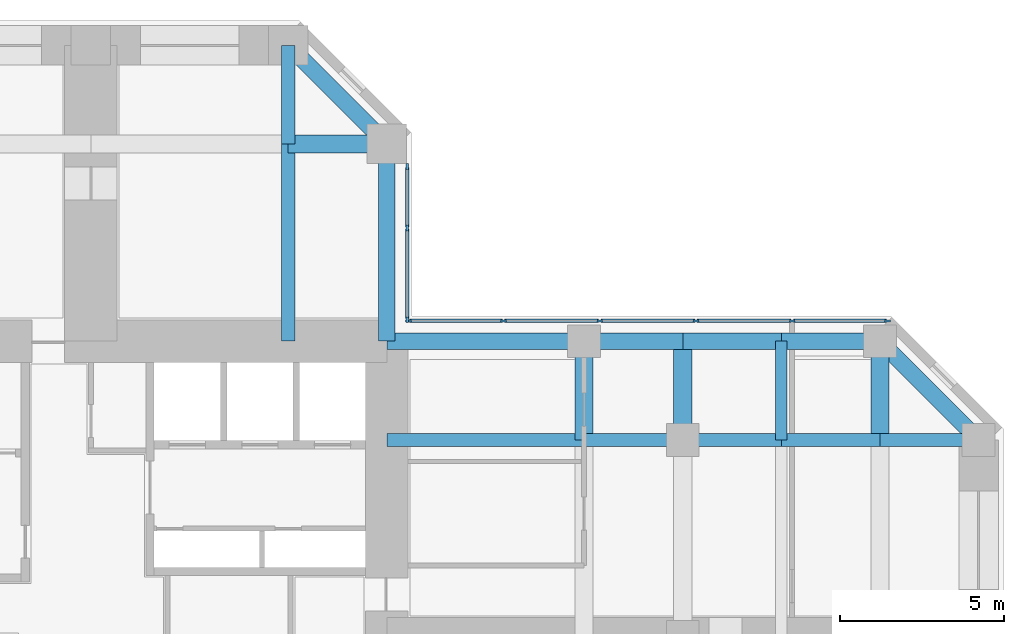
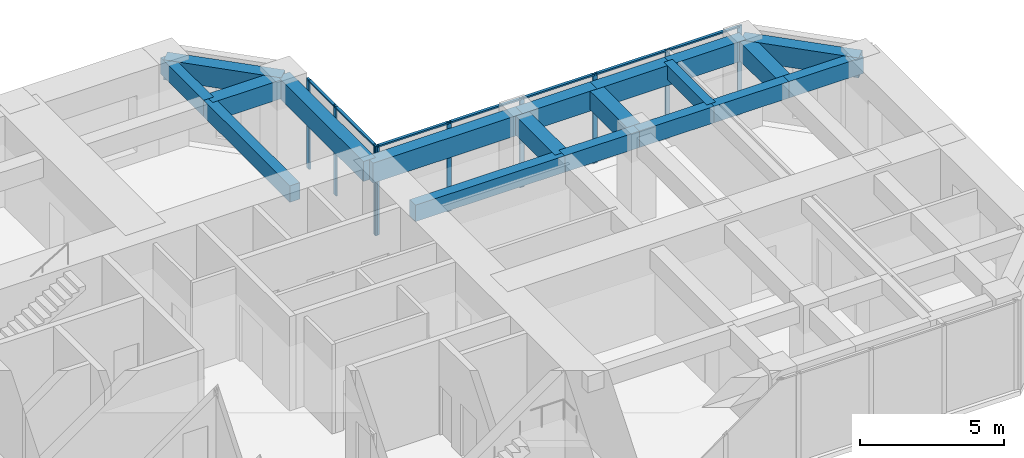
# One storey, part 6 of 12: 19 beams, 16 members, 2 elements without a shape of their own.
"""IFC4 building model written with IfcOpenShell, lengths in metres."""

from ifc_helpers import new_model, si_unit, direction, frame, origin, origin_2d, place, context, subcontext, project, spatial, rectangle, extrude, material, material_profile, profile_set, type_object, element, aggregate, save


model = new_model("IFC4")

# Units and contexts
model_context = context("Model", 3, precision=1e-05, world=origin(), true_north=direction((0.0, 1.0)))
body_context = subcontext(model_context, "Body", "Model", "MODEL_VIEW")
ifc_project = project(units=[si_unit("LENGTHUNIT", "METRE"), si_unit("AREAUNIT", "SQUARE_METRE"), si_unit("VOLUMEUNIT", "CUBIC_METRE"), si_unit("PLANEANGLEUNIT", "RADIAN"), si_unit("MASSUNIT", "GRAM", prefix="KILO")], contexts=[model_context])

# Site, building, storey
site_placement = place(None, origin())
site = spatial("IfcSite", under=ifc_project, at=site_placement, CompositionType="ELEMENT")
building_placement = place(site_placement, origin())
building = spatial("IfcBuilding", under=site, at=building_placement, Name="Torre Cruceta", CompositionType="ELEMENT")
storey_placement = place(building_placement, frame((0.0, 0.0, 104.5)))
storey = spatial("IfcBuildingStorey", under=building, at=storey_placement, Name="L25", CompositionType="ELEMENT", Elevation=104.5)

# Beams
ifc_material_1 = material(Name="Concrete G60 (fck 60 MPa)", Category="concrete")
ifc_material_profile_1 = material_profile(ifc_material_1, rectangle(XDim=0.39990234375, YDim=0.699951171875, at=origin_2d()), Name="RC 400X700")
ifc_profile_set_1 = profile_set([ifc_material_profile_1], Name="Concrete G60 (fck 60 MPa)")
beam_type_1 = type_object("IfcBeamType", Name="COLUMN LINE BEAM RC 400X700", PredefinedType="BEAM", material=ifc_profile_set_1)
beam_1_placement = place(storey_placement, frame((6.0, 9.0, 3.449951171875), z_axis=(0.0, 1.0, 0.0), x_axis=(-1.0, 0.0, 0.0)))
element("IfcBeam", 1, at=beam_1_placement, inside=storey, type_object=beam_type_1, Name="LB5 L25 N col- 1", PredefinedType="BEAM", context=body_context, shape_type="SweptSolid", body=[
    extrude(rectangle(XDim=0.39990234375, YDim=0.699951171875, at=origin_2d()), origin(), (0.0, 0.0, 1.0), 6.0),
])
beam_2_placement = place(storey_placement, frame((6.0, 15.0, 3.449951171875), z_axis=(0.0, 1.0, 0.0), x_axis=(-1.0, 0.0, 0.0)))
element("IfcBeam", 2, at=beam_2_placement, inside=storey, type_object=beam_type_1, Name="LB5 L25 N col- 2", PredefinedType="BEAM", context=body_context, shape_type="SweptSolid", body=[
    extrude(rectangle(XDim=0.39990234375, YDim=0.699951171875, at=origin_2d()), origin(), (0.0, 0.0, 1.0), 3.0),
])
beam_3_placement = place(storey_placement, frame((9.0, 6.0, 3.449951171875), z_axis=(1.0, 0.0, 0.0), x_axis=(0.0, 1.0, 0.0)))
element("IfcBeam", 3, at=beam_3_placement, inside=storey, type_object=beam_type_1, Name="LB5 L25 E col+ 1", PredefinedType="BEAM", context=body_context, shape_type="SweptSolid", body=[
    extrude(rectangle(XDim=0.39990234375, YDim=0.699951171875, at=origin_2d()), origin(), (0.0, 0.0, 1.0), 6.0),
])
for number, where, z_axis, x_axis, name in (
    (4, (15.0, 6.0, 3.449951171875), (1.0, 0.0, 0.0), (0.0, 1.0, 0.0), "LB5 L25 E col+ 2"),
    (5, (18.0, 6.0, 3.449951171875), (1.0, 0.0, 0.0), (0.0, 1.0, 0.0), "LB5 L25 E col+ 3"),
    (6, (21.0, 6.0, 3.449951171875), (1.0, 0.0, 0.0), (0.0, 1.0, 0.0), "LB5 L25 E col+ 4"),
    (7, (24.0, 6.0, 3.449951171875), (1.0, 0.0, 0.0), (0.0, 1.0, 0.0), "LB5 L25 E col+ 5"),
):
    element("IfcBeam", number, at=place(storey_placement, frame(where, z_axis=z_axis, x_axis=x_axis)), inside=storey, type_object=beam_type_1, Name=name, PredefinedType="BEAM", context=body_context, shape_type="SweptSolid", body=[
        extrude(rectangle(XDim=0.39990234375, YDim=0.699951171875, at=origin_2d()), origin(), (0.0, 0.0, 1.0), 3.0),
    ])
ifc_material_2 = material(Name="Concrete G60 (fck 60 MPa)", Category="concrete")
ifc_material_profile_2 = material_profile(ifc_material_2, rectangle(XDim=0.550048828125, YDim=0.800048828125, at=origin_2d()), Name="RC 550X800")
ifc_profile_set_2 = profile_set([ifc_material_profile_2], Name="Concrete G60 (fck 60 MPa)")
beam_type_2 = type_object("IfcBeamType", Name="CROSS BEAM RC 550X800", PredefinedType="BEAM", material=ifc_profile_set_2)
for number, where, z_axis, x_axis, name in (
    (8, (9.0, 15.0, 3.39990234375), (-1.0, 0.0, 0.0), (0.0, -1.0, 0.0), "GB5 L25 N cross15 1"),
    (9, (15.0, 6.0, 3.39990234375), (0.0, 1.0, 0.0), (-1.0, 0.0, 0.0), "GB5 L25 E cross15 4"),
    (10, (18.0, 6.0, 3.39990234375), (0.0, 1.0, 0.0), (-1.0, 0.0, 0.0), "GB5 L25 E cross18 4"),
    (11, (24.0, 6.0, 3.39990234375), (0.0, 1.0, 0.0), (-1.0, 0.0, 0.0), "GB5 L25 E cross24 4"),
):
    element("IfcBeam", number, at=place(storey_placement, frame(where, z_axis=z_axis, x_axis=x_axis)), inside=storey, type_object=beam_type_2, Name=name, PredefinedType="BEAM", context=body_context, shape_type="SweptSolid", body=[
        extrude(rectangle(XDim=0.550048828125, YDim=0.800048828125, at=origin_2d()), origin(), (0.0, 0.0, 1.0), 3.0),
    ])

# Curtain wall, members
ifc_material_3 = material(Name="Aluminium unitised curtain wall", Category="aluminium")
curtain_wall_type = type_object("IfcCurtainWallType", Name="CURTAIN WALL CW-B OFFICE MID RISE", PredefinedType="USERDEFINED", material=ifc_material_3)
curtain_wall_1_placement = place(storey_placement, origin())
curtain_wall_1 = element("IfcCurtainWall", 12, at=curtain_wall_1_placement, inside=storey, type_object=curtain_wall_type, Name="CW-B L25 E side 04", ObjectType="UNITISED", PredefinedType="USERDEFINED")
ifc_material_4 = material(Name="Aluminium mullion", Category="aluminium")
ifc_material_profile_3 = material_profile(ifc_material_4, rectangle(XDim=0.06494140625, YDim=0.179931640625, at=origin_2d()), Name="AL 65X180")
ifc_profile_set_3 = profile_set([ifc_material_profile_3], Name="Aluminium mullion")
member_type_1 = type_object("IfcMemberType", Name="CW-B MULLION 65X180", PredefinedType="MULLION", material=ifc_profile_set_3)
member_1_placement = place(storey_placement, frame((24.224365234375, 9.6201171875, 0.0), z_axis=(0.0, 0.0, 1.0), x_axis=(0.0, -1.0, 0.0)))
member_1 = element("IfcMember", 13, at=member_1_placement, type_object=member_type_1, Name="CW-B mullion 1", PredefinedType="MULLION", context=body_context, shape_type="SweptSolid", body=[
    extrude(rectangle(XDim=0.06494140625, YDim=0.179931640625, at=origin_2d()), origin(), (0.0, 0.0, 1.0), 3.800048828125),
])
member_2_placement = place(storey_placement, frame((21.329345703125, 9.6201171875, 0.0), z_axis=(0.0, 0.0, 1.0), x_axis=(0.0, -1.0, 0.0)))
member_2 = element("IfcMember", 14, at=member_2_placement, type_object=member_type_1, Name="CW-B mullion 2", PredefinedType="MULLION", context=body_context, shape_type="SweptSolid", body=[
    extrude(rectangle(XDim=0.06494140625, YDim=0.179931640625, at=origin_2d()), origin(), (0.0, 0.0, 1.0), 3.800048828125),
])
member_3_placement = place(storey_placement, frame((18.402099609375, 9.6201171875, 0.0), z_axis=(0.0, 0.0, 1.0), x_axis=(0.0, -1.0, 0.0)))
member_3 = element("IfcMember", 15, at=member_3_placement, type_object=member_type_1, Name="CW-B mullion 3", PredefinedType="MULLION", context=body_context, shape_type="SweptSolid", body=[
    extrude(rectangle(XDim=0.06494140625, YDim=0.179931640625, at=origin_2d()), origin(), (0.0, 0.0, 1.0), 3.800048828125),
])
member_4_placement = place(storey_placement, frame((15.474609375, 9.6201171875, 0.0), z_axis=(0.0, 0.0, 1.0), x_axis=(0.0, -1.0, 0.0)))
member_4 = element("IfcMember", 16, at=member_4_placement, type_object=member_type_1, Name="CW-B mullion 4", PredefinedType="MULLION", context=body_context, shape_type="SweptSolid", body=[
    extrude(rectangle(XDim=0.06494140625, YDim=0.179931640625, at=origin_2d()), origin(), (0.0, 0.0, 1.0), 3.800048828125),
])
member_5_placement = place(storey_placement, frame((12.54736328125, 9.6201171875, 0.0), z_axis=(0.0, 0.0, 1.0), x_axis=(0.0, -1.0, 0.0)))
member_5 = element("IfcMember", 17, at=member_5_placement, type_object=member_type_1, Name="CW-B mullion 5", PredefinedType="MULLION", context=body_context, shape_type="SweptSolid", body=[
    extrude(rectangle(XDim=0.06494140625, YDim=0.179931640625, at=origin_2d()), origin(), (0.0, 0.0, 1.0), 3.800048828125),
])
member_6_placement = place(storey_placement, frame((9.652587890625, 9.6201171875, 0.0), z_axis=(0.0, 0.0, 1.0), x_axis=(0.0, -1.0, 0.0)))
member_6 = element("IfcMember", 18, at=member_6_placement, type_object=member_type_1, Name="CW-B mullion 6", PredefinedType="MULLION", context=body_context, shape_type="SweptSolid", body=[
    extrude(rectangle(XDim=0.06494140625, YDim=0.179931640625, at=origin_2d()), origin(), (0.0, 0.0, 1.0), 3.800048828125),
])

curtain_wall_2_placement = place(storey_placement, origin())
curtain_wall_2 = element("IfcCurtainWall", 19, at=curtain_wall_2_placement, inside=storey, type_object=curtain_wall_type, Name="CW-B L25 N side 05", ObjectType="UNITISED", PredefinedType="USERDEFINED")
member_7_placement = place(storey_placement, frame((9.6201171875, 9.652587890625, 0.0), z_axis=(0.0, 0.0, 1.0), x_axis=(-1.0, 0.0, 0.0)))
member_7 = element("IfcMember", 20, at=member_7_placement, type_object=member_type_1, Name="CW-B mullion 1", PredefinedType="MULLION", context=body_context, shape_type="SweptSolid", body=[
    extrude(rectangle(XDim=0.06494140625, YDim=0.179931640625, at=origin_2d()), origin(), (0.0, 0.0, 1.0), 3.800048828125),
])
member_8_placement = place(storey_placement, frame((9.6201171875, 12.4384765625, 0.0), z_axis=(0.0, 0.0, 1.0), x_axis=(-1.0, 0.0, 0.0)))
member_8 = element("IfcMember", 21, at=member_8_placement, type_object=member_type_1, Name="CW-B mullion 2", PredefinedType="MULLION", context=body_context, shape_type="SweptSolid", body=[
    extrude(rectangle(XDim=0.06494140625, YDim=0.179931640625, at=origin_2d()), origin(), (0.0, 0.0, 1.0), 3.800048828125),
])
member_9_placement = place(storey_placement, frame((9.6201171875, 14.30908203125, 0.0), z_axis=(0.0, 0.0, 1.0), x_axis=(-1.0, 0.0, 0.0)))
member_9 = element("IfcMember", 22, at=member_9_placement, type_object=member_type_1, Name="CW-B mullion 3", PredefinedType="MULLION", context=body_context, shape_type="SweptSolid", body=[
    extrude(rectangle(XDim=0.06494140625, YDim=0.179931640625, at=origin_2d()), origin(), (0.0, 0.0, 1.0), 3.800048828125),
])

# Member
ifc_material_5 = material(Name="Aluminium transom", Category="aluminium")
ifc_material_profile_4 = material_profile(ifc_material_5, rectangle(XDim=0.110107421875, YDim=0.06494140625, at=origin_2d()), Name="AL 110X65")
ifc_profile_set_4 = profile_set([ifc_material_profile_4], Name="Aluminium transom")
member_type_2 = type_object("IfcMemberType", Name="CW-B TRANSOM 65X110", PredefinedType="USERDEFINED", material=ifc_profile_set_4)
member_10_placement = place(storey_placement, frame((24.19189453125, 9.6201171875, 3.767578125), z_axis=(-1.0, 0.0, 0.0), x_axis=(0.0, -1.0, 0.0)))
member_10 = element("IfcMember", 23, at=member_10_placement, type_object=member_type_2, Name="CW-B transom 1", ObjectType="TRANSOM", PredefinedType="USERDEFINED", context=body_context, shape_type="SweptSolid", body=[
    extrude(rectangle(XDim=0.110107421875, YDim=0.06494140625, at=origin_2d()), origin(), (0.0, 0.0, 1.0), 2.829833984375),
])

member_11_placement = place(storey_placement, frame((21.296875, 9.6201171875, 3.767578125), z_axis=(-1.0, 0.0, 0.0), x_axis=(0.0, -1.0, 0.0)))
member_11 = element("IfcMember", 24, at=member_11_placement, type_object=member_type_2, Name="CW-B transom 2", ObjectType="TRANSOM", PredefinedType="USERDEFINED", context=body_context, shape_type="SweptSolid", body=[
    extrude(rectangle(XDim=0.110107421875, YDim=0.06494140625, at=origin_2d()), origin(), (0.0, 0.0, 1.0), 2.8623046875),
])

member_12_placement = place(storey_placement, frame((18.36962890625, 9.6201171875, 3.767578125), z_axis=(-1.0, 0.0, 0.0), x_axis=(0.0, -1.0, 0.0)))
member_12 = element("IfcMember", 25, at=member_12_placement, type_object=member_type_2, Name="CW-B transom 3", ObjectType="TRANSOM", PredefinedType="USERDEFINED", context=body_context, shape_type="SweptSolid", body=[
    extrude(rectangle(XDim=0.110107421875, YDim=0.06494140625, at=origin_2d()), origin(), (0.0, 0.0, 1.0), 2.8623046875),
])

member_13_placement = place(storey_placement, frame((15.442138671875, 9.6201171875, 3.767578125), z_axis=(-1.0, 0.0, 0.0), x_axis=(0.0, -1.0, 0.0)))
member_13 = element("IfcMember", 26, at=member_13_placement, type_object=member_type_2, Name="CW-B transom 4", ObjectType="TRANSOM", PredefinedType="USERDEFINED", context=body_context, shape_type="SweptSolid", body=[
    extrude(rectangle(XDim=0.110107421875, YDim=0.06494140625, at=origin_2d()), origin(), (0.0, 0.0, 1.0), 2.8623046875),
])

member_14_placement = place(storey_placement, frame((12.514892578125, 9.6201171875, 3.767578125), z_axis=(-1.0, 0.0, 0.0), x_axis=(0.0, -1.0, 0.0)))
member_14 = element("IfcMember", 27, at=member_14_placement, type_object=member_type_2, Name="CW-B transom 5", ObjectType="TRANSOM", PredefinedType="USERDEFINED", context=body_context, shape_type="SweptSolid", body=[
    extrude(rectangle(XDim=0.110107421875, YDim=0.06494140625, at=origin_2d()), origin(), (0.0, 0.0, 1.0), 2.829833984375),
])

aggregate(curtain_wall_1, [member_1, member_2, member_3, member_4, member_5, member_6, member_10, member_11, member_12, member_13, member_14])

member_15_placement = place(storey_placement, frame((9.6201171875, 9.68505859375, 3.767578125), z_axis=(0.0, 1.0, 0.0), x_axis=(-1.0, 0.0, 0.0)))
member_15 = element("IfcMember", 28, at=member_15_placement, type_object=member_type_2, Name="CW-B transom 1", ObjectType="TRANSOM", PredefinedType="USERDEFINED", context=body_context, shape_type="SweptSolid", body=[
    extrude(rectangle(XDim=0.110107421875, YDim=0.06494140625, at=origin_2d()), origin(), (0.0, 0.0, 1.0), 2.720947265625),
])

member_16_placement = place(storey_placement, frame((9.6201171875, 12.470947265625, 3.767578125), z_axis=(0.0, 1.0, 0.0), x_axis=(-1.0, 0.0, 0.0)))
member_16 = element("IfcMember", 29, at=member_16_placement, type_object=member_type_2, Name="CW-B transom 2", ObjectType="TRANSOM", PredefinedType="USERDEFINED", context=body_context, shape_type="SweptSolid", body=[
    extrude(rectangle(XDim=0.110107421875, YDim=0.06494140625, at=origin_2d()), origin(), (0.0, 0.0, 1.0), 1.8056640625),
])

aggregate(curtain_wall_2, [member_7, member_8, member_9, member_15, member_16])

# Beams
ifc_material_6 = material(Name="Concrete G60 (fck 60 MPa)", Category="concrete")
ifc_material_profile_5 = material_profile(ifc_material_6, rectangle(XDim=0.35009765625, YDim=0.60009765625, at=origin_2d()), Name="RC 350X600")
ifc_profile_set_5 = profile_set([ifc_material_profile_5], Name="Concrete G60 (fck 60 MPa)")
beam_type_3 = type_object("IfcBeamType", Name="SECONDARY BEAM RC 350X600", PredefinedType="JOIST", material=ifc_profile_set_5)
beam_4_placement = place(storey_placement, frame((21.0, 6.0, 3.5), z_axis=(0.0, 1.0, 0.0), x_axis=(-1.0, 0.0, 0.0)))
element("IfcBeam", 30, at=beam_4_placement, inside=storey, type_object=beam_type_3, Name="JB5 L25 E sec21 4", PredefinedType="JOIST", context=body_context, shape_type="SweptSolid", body=[
    extrude(rectangle(XDim=0.35009765625, YDim=0.60009765625, at=origin_2d()), origin(), (0.0, 0.0, 1.0), 3.0),
])
ifc_material_7 = material(Name="Concrete G60 (fck 60 MPa)", Category="concrete")
ifc_material_profile_6 = material_profile(ifc_material_7, rectangle(XDim=0.5, YDim=0.85009765625, at=origin_2d()), Name="RC 500X850")
ifc_profile_set_6 = profile_set([ifc_material_profile_6], Name="Concrete G60 (fck 60 MPa)")
beam_type_4 = type_object("IfcBeamType", Name="SPANDREL BEAM RC 500X850", PredefinedType="SPANDREL", material=ifc_profile_set_6)
beam_5_placement = place(storey_placement, frame((9.0, 9.0, 3.375), z_axis=(0.0, 1.0, 0.0), x_axis=(-1.0, 0.0, 0.0)))
element("IfcBeam", 31, at=beam_5_placement, inside=storey, type_object=beam_type_4, Name="SB5 L25 N side- 1", PredefinedType="SPANDREL", context=body_context, shape_type="SweptSolid", body=[
    extrude(rectangle(XDim=0.5, YDim=0.85009765625, at=origin_2d()), origin(), (0.0, 0.0, 1.0), 6.0),
])
beam_6_placement = place(storey_placement, frame((9.0, 15.0, 3.375), z_axis=(-0.707106781187, 0.707106781187, 0.0), x_axis=(-0.707106781187, -0.707106781187, 0.0)))
element("IfcBeam", 32, at=beam_6_placement, inside=storey, type_object=beam_type_4, Name="SB5 L25 N side- 2", PredefinedType="SPANDREL", context=body_context, shape_type="SweptSolid", body=[
    extrude(rectangle(XDim=0.5, YDim=0.85009765625, at=origin_2d()), origin(), (0.0, 0.0, 1.0), 4.24267578125),
])
beam_7_placement = place(storey_placement, frame((9.0, 9.0, 3.375), z_axis=(1.0, 0.0, 0.0), x_axis=(0.0, 1.0, 0.0)))
element("IfcBeam", 33, at=beam_7_placement, inside=storey, type_object=beam_type_4, Name="SB5 L25 E side+ 1", PredefinedType="SPANDREL", context=body_context, shape_type="SweptSolid", body=[
    extrude(rectangle(XDim=0.5, YDim=0.85009765625, at=origin_2d()), origin(), (0.0, 0.0, 1.0), 6.0),
])
for number, where, z_axis, x_axis, name in (
    (34, (15.0, 9.0, 3.375), (1.0, 0.0, 0.0), (0.0, 1.0, 0.0), "SB5 L25 E side+ 2"),
    (35, (18.0, 9.0, 3.375), (1.0, 0.0, 0.0), (0.0, 1.0, 0.0), "SB5 L25 E side+ 3"),
    (36, (21.0, 9.0, 3.375), (1.0, 0.0, 0.0), (0.0, 1.0, 0.0), "SB5 L25 E side+ 4"),
):
    element("IfcBeam", number, at=place(storey_placement, frame(where, z_axis=z_axis, x_axis=x_axis)), inside=storey, type_object=beam_type_4, Name=name, PredefinedType="SPANDREL", context=body_context, shape_type="SweptSolid", body=[
        extrude(rectangle(XDim=0.5, YDim=0.85009765625, at=origin_2d()), origin(), (0.0, 0.0, 1.0), 3.0),
    ])
beam_8_placement = place(storey_placement, frame((24.0, 9.0, 3.375), z_axis=(0.707106781187, -0.707106781187, 0.0), x_axis=(0.707106781187, 0.707106781187, 0.0)))
element("IfcBeam", 37, at=beam_8_placement, inside=storey, type_object=beam_type_4, Name="SB5 L25 E side+ 5", PredefinedType="SPANDREL", context=body_context, shape_type="SweptSolid", body=[
    extrude(rectangle(XDim=0.5, YDim=0.85009765625, at=origin_2d()), origin(), (0.0, 0.0, 1.0), 4.24267578125),
])

save(model, "model.ifc")
